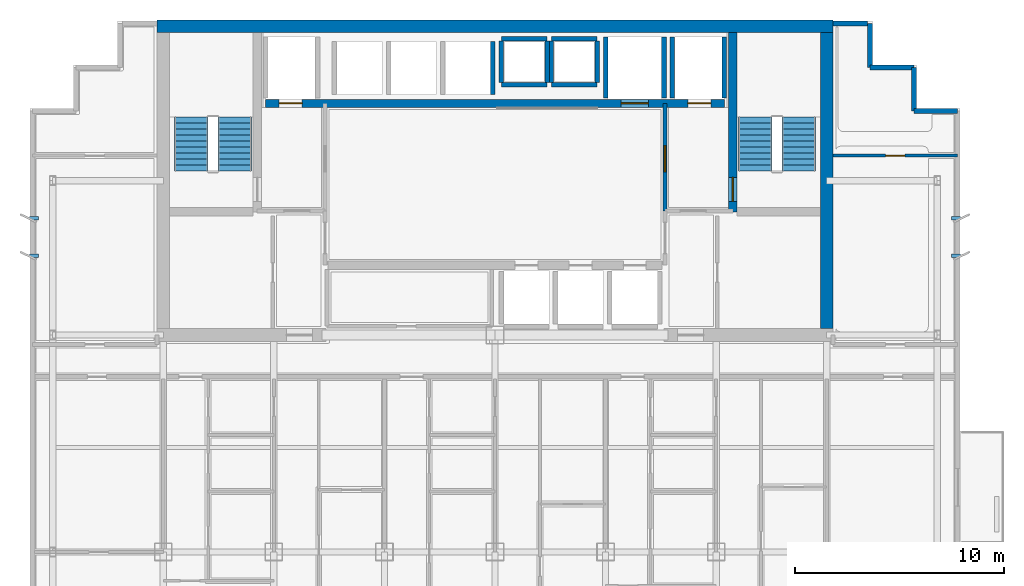
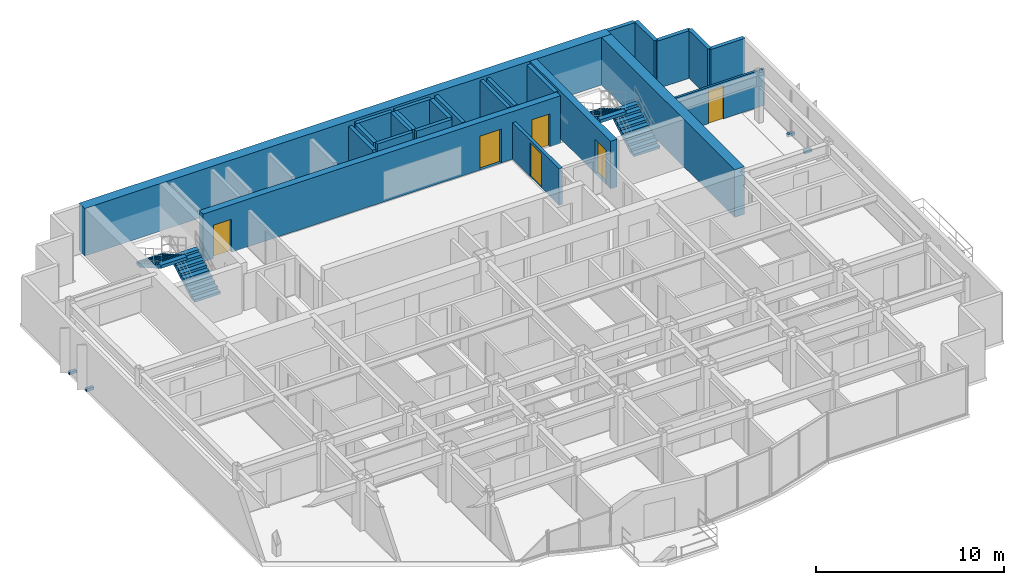
# One storey, part 9 of 11: 24 walls, 6 doors, 4 discrete accessories, 4 stair flights, 6 openings, 2 elements without a shape of their own.
"""IFC4 building model written with IfcOpenShell, lengths in metres."""

from ifc_helpers import new_model, si_unit, direction, frame, frame_2d, origin, origin_2d, place, context, subcontext, project, spatial, polyline, rectangle, outline, extrude, source, transform, mapped, material, layer, layer_set, type_object, element, fill, aggregate, save


model = new_model("IFC4")

# Units and contexts
model_context = context("Model", 3, precision=1e-05, world=origin(), true_north=direction((0.0, 1.0)))
body_context = subcontext(model_context, "Body", "Model", "MODEL_VIEW")
ifc_project = project(units=[si_unit("LENGTHUNIT", "METRE"), si_unit("AREAUNIT", "SQUARE_METRE"), si_unit("VOLUMEUNIT", "CUBIC_METRE"), si_unit("PLANEANGLEUNIT", "RADIAN"), si_unit("MASSUNIT", "GRAM", prefix="KILO")], contexts=[model_context])

# Site, building, storey
site_placement = place(None, origin())
site = spatial("IfcSite", under=ifc_project, at=site_placement, CompositionType="ELEMENT")
building_placement = place(site_placement, origin())
building = spatial("IfcBuilding", under=site, at=building_placement, Name="Qianlan Lanfeng Residences", CompositionType="ELEMENT")
storey_placement = place(building_placement, frame((0.0, 0.0, 165.60009765625)))
storey = spatial("IfcBuildingStorey", under=building, at=storey_placement, Name="L45", CompositionType="ELEMENT", Elevation=165.60009765625)

# Wall, opening, door
ifc_material_1 = material(Name="Concrete C56", Category="concrete")
ifc_layer_1 = layer(ifc_material_1, 0.39990234375)
ifc_layer_set_1 = layer_set([ifc_layer_1], Name="Concrete C56")
wall_type_1 = type_object("IfcWallType", Name="CW-RC-400", PredefinedType="SHEAR", material=ifc_layer_set_1)
wall_1_placement = place(storey_placement, frame((37.89990234375, 31.10009765625, 0.0), z_axis=(0.0, 0.0, 1.0), x_axis=(0.0, 1.0, 0.0)))
wall_1 = element("IfcWall", 1, at=wall_1_placement, inside=storey, type_object=wall_type_1, Name="L45 Core Shear Wall ST2W", PredefinedType="SHEAR", context=body_context, shape_type="SweptSolid", body=[
    extrude(rectangle(XDim=8.599853515625, YDim=0.39990234375, at=frame_2d((4.2998046875, 0.0))), origin(), (0.0, 0.0, 1.0), 3.099853515625),
])
opening_1_placement = place(wall_1_placement, frame((0.510009765625, 0.0, 0.0)))
opening_1 = element("IfcOpeningElement", 2, at=opening_1_placement, cuts=wall_1, Name="Opening L45-D08", PredefinedType="OPENING", context=body_context, shape_type="SweptSolid", body=[
    extrude(rectangle(XDim=1.14990234375, YDim=2.199951171875, at=frame_2d((0.574951171875, 1.10009765625))), frame((0.0, 0.2099609375, 0.0), z_axis=(0.0, -1.0, 0.0), x_axis=(1.0, 0.0, 0.0)), (0.0, 0.0, 1.0), 0.419921875),
])
ifc_material_2 = material(Name="Painted Galvanised Steel Fire Door", Category="steel")
door_type_1 = type_object("IfcDoorType", Name="DT-ST1", OperationType="NOTDEFINED", PredefinedType="DOOR", material=ifc_material_2)
door_1_placement = place(opening_1_placement, origin())
door_1 = element("IfcDoor", 3, at=door_1_placement, inside=storey, type_object=door_type_1, Name="L45 Exit Stair ST-2 Door L45-D08 (DT-ST1)", OperationType="SINGLE_SWING_RIGHT", OverallHeight=2.199951171875, OverallWidth=1.14990234375, PredefinedType="DOOR", context=body_context, shape_type="SweptSolid", body=[
    extrude(rectangle(XDim=1.14990234375, YDim=2.199951171875, at=frame_2d((0.574951171875, 1.10009765625))), frame((0.0, 0.02490234375, 0.0), z_axis=(0.0, -1.0, 0.0), x_axis=(1.0, 0.0, 0.0)), (0.0, 0.0, 1.0), 0.050048828125),
])
fill(opening_1, door_1)

# Wall, openings, doors
wall_2_placement = place(storey_placement, frame((15.5, 36.300048828125, 0.0), z_axis=(0.0, 0.0, 1.0), x_axis=(1.0, 0.0, 0.0)))
wall_2 = element("IfcWall", 4, at=wall_2_placement, inside=storey, type_object=wall_type_1, Name="L45 Core Shear Wall LBN", PredefinedType="SHEAR", context=body_context, shape_type="SweptSolid", body=[
    extrude(rectangle(XDim=22.0, YDim=0.39990234375, at=frame_2d((11.0, 0.0))), origin(), (0.0, 0.0, 1.0), 3.099853515625),
])
opening_2_placement = place(wall_2_placement, frame((0.64990234375, 0.0, 0.0)))
opening_2 = element("IfcOpeningElement", 5, at=opening_2_placement, cuts=wall_2, Name="Opening L45-LD-FFL-1", PredefinedType="OPENING", context=body_context, shape_type="SweptSolid", body=[
    extrude(rectangle(XDim=1.10009765625, YDim=2.14990234375, at=frame_2d((0.550048828125, 1.074951171875))), frame((0.0, 0.2099609375, 0.0), z_axis=(0.0, -1.0, 0.0), x_axis=(1.0, 0.0, 0.0)), (0.0, 0.0, 1.0), 0.419921875),
])
opening_3_placement = place(wall_2_placement, frame((20.25, 0.0, 0.0)))
opening_3 = element("IfcOpeningElement", 6, at=opening_3_placement, cuts=wall_2, Name="Opening L45-LD-FFL-2", PredefinedType="OPENING", context=body_context, shape_type="SweptSolid", body=[
    extrude(rectangle(XDim=1.10009765625, YDim=2.14990234375, at=frame_2d((0.550048828125, 1.074951171875))), frame((0.0, 0.2099609375, 0.0), z_axis=(0.0, -1.0, 0.0), x_axis=(1.0, 0.0, 0.0)), (0.0, 0.0, 1.0), 0.419921875),
])
opening_4_placement = place(wall_2_placement, frame((17.050048828125, 0.0, 0.0)))
opening_4 = element("IfcOpeningElement", 7, at=opening_4_placement, cuts=wall_2, Name="Opening L45-LD-SVL-1", PredefinedType="OPENING", context=body_context, shape_type="SweptSolid", body=[
    extrude(rectangle(XDim=1.300048828125, YDim=2.199951171875, at=frame_2d((0.64990234375, 1.10009765625))), frame((0.0, 0.2099609375, 0.0), z_axis=(0.0, -1.0, 0.0), x_axis=(1.0, 0.0, 0.0)), (0.0, 0.0, 1.0), 0.419921875),
])
ifc_material_3 = material(Name="Brushed Stainless Steel Sliding Lift Door", Category="steel")
door_type_2 = type_object("IfcDoorType", Name="LD-01", OperationType="NOTDEFINED", PredefinedType="DOOR", material=ifc_material_3)
door_2_placement = place(opening_2_placement, frame((1.10009765625, 0.0, 0.0), z_axis=(0.0, 0.0, 1.0), x_axis=(-1.0, 0.0, 0.0)))
door_2 = element("IfcDoor", 8, at=door_2_placement, inside=storey, type_object=door_type_2, Name="L45 Elevator FFL-1 Sliding Landing Door", OperationType="DOUBLE_DOOR_SLIDING", OverallHeight=2.14990234375, OverallWidth=1.10009765625, PredefinedType="DOOR", context=body_context, shape_type="SweptSolid", body=[
    extrude(rectangle(XDim=1.10009765625, YDim=2.14990234375, at=frame_2d((0.550048828125, 1.074951171875))), frame((0.0, 0.02490234375, 0.0), z_axis=(0.0, -1.0, 0.0), x_axis=(1.0, 0.0, 0.0)), (0.0, 0.0, 1.0), 0.050048828125),
])
fill(opening_2, door_2)
door_3_placement = place(opening_3_placement, frame((1.10009765625, 0.0, 0.0), z_axis=(0.0, 0.0, 1.0), x_axis=(-1.0, 0.0, 0.0)))
door_3 = element("IfcDoor", 9, at=door_3_placement, inside=storey, type_object=door_type_2, Name="L45 Elevator FFL-2 Sliding Landing Door", OperationType="DOUBLE_DOOR_SLIDING", OverallHeight=2.14990234375, OverallWidth=1.10009765625, PredefinedType="DOOR", context=body_context, shape_type="SweptSolid", body=[
    extrude(rectangle(XDim=1.10009765625, YDim=2.14990234375, at=frame_2d((0.550048828125, 1.074951171875))), frame((0.0, 0.02490234375, 0.0), z_axis=(0.0, -1.0, 0.0), x_axis=(1.0, 0.0, 0.0)), (0.0, 0.0, 1.0), 0.050048828125),
])
fill(opening_3, door_3)
door_type_3 = type_object("IfcDoorType", Name="LD-02", OperationType="NOTDEFINED", PredefinedType="DOOR", material=ifc_material_3)
door_4_placement = place(opening_4_placement, frame((1.300048828125, 0.0, 0.0), z_axis=(0.0, 0.0, 1.0), x_axis=(-1.0, 0.0, 0.0)))
door_4 = element("IfcDoor", 10, at=door_4_placement, inside=storey, type_object=door_type_3, Name="L45 Elevator SVL-1 Sliding Landing Door", OperationType="DOUBLE_DOOR_SLIDING", OverallHeight=2.199951171875, OverallWidth=1.300048828125, PredefinedType="DOOR", context=body_context, shape_type="SweptSolid", body=[
    extrude(rectangle(XDim=1.300048828125, YDim=2.199951171875, at=frame_2d((0.64990234375, 1.10009765625))), frame((0.0, 0.02490234375, 0.0), z_axis=(0.0, -1.0, 0.0), x_axis=(1.0, 0.0, 0.0)), (0.0, 0.0, 1.0), 0.050048828125),
])
fill(opening_4, door_4)

# Walls
ifc_layer_2 = layer(ifc_material_1, 0.60009765625)
ifc_layer_set_2 = layer_set([ifc_layer_2], Name="Concrete C56")
wall_type_2 = type_object("IfcWallType", Name="CW-RC-600", PredefinedType="SHEAR", material=ifc_layer_set_2)
wall_3_placement = place(storey_placement, frame((10.300048828125, 40.0, 0.0), z_axis=(0.0, 0.0, 1.0), x_axis=(1.0, 0.0, 0.0)))
element("IfcWall", 11, at=wall_3_placement, inside=storey, type_object=wall_type_2, Name="L45 Core Shear Wall N", PredefinedType="SHEAR", context=body_context, shape_type="SweptSolid", body=[
    extrude(rectangle(XDim=32.39990234375, YDim=0.60009765625, at=frame_2d((16.199951171875, 0.0))), origin(), (0.0, 0.0, 1.0), 3.099853515625),
])
wall_4_placement = place(storey_placement, frame((42.39990234375, 25.5, 0.0), z_axis=(0.0, 0.0, 1.0), x_axis=(0.0, 1.0, 0.0)))
element("IfcWall", 12, at=wall_4_placement, inside=storey, type_object=wall_type_2, Name="L45 Core Shear Wall E", PredefinedType="SHEAR", context=body_context, shape_type="SweptSolid", body=[
    extrude(rectangle(XDim=14.199951171875, YDim=0.60009765625, at=frame_2d((7.10009765625, 0.0))), origin(), (0.0, 0.0, 1.0), 3.099853515625),
])
ifc_material_4 = material(Name="Concrete C42", Category="concrete")
ifc_layer_3 = layer(ifc_material_4, 0.239990234375)
ifc_layer_set_3 = layer_set([ifc_layer_3], Name="Concrete C42")
wall_type_3 = type_object("IfcWallType", Name="EW-240", PredefinedType="SOLIDWALL", material=ifc_layer_set_3)
wall_5_placement = place(storey_placement, frame((48.679931640625, 35.929931640625, 0.0), z_axis=(0.0, 0.0, 1.0), x_axis=(-1.0, 0.0, 0.0)))
element("IfcWall", 13, at=wall_5_placement, inside=storey, type_object=wall_type_3, Name="L45 Exterior Facade Spandrel Wall 11", PredefinedType="SOLIDWALL", context=body_context, shape_type="SweptSolid", body=[
    extrude(rectangle(XDim=2.099853515625, YDim=0.239990234375, at=frame_2d((1.0498046875, 0.0))), origin(), (0.0, 0.0, 1.0), 3.099853515625),
])
for number, where, z_axis, x_axis, name in (
    (14, (46.580078125, 35.929931640625, 0.0), (0.0, 0.0, 1.0), (0.0, 1.0, 0.0), "L45 Exterior Facade Spandrel Wall 12"),
    (15, (46.580078125, 38.030029296875, 0.0), (0.0, 0.0, 1.0), (-1.0, 0.0, 0.0), "L45 Exterior Facade Spandrel Wall 13"),
):
    element("IfcWall", number, at=place(storey_placement, frame(where, z_axis=z_axis, x_axis=x_axis)), inside=storey, type_object=wall_type_3, Name=name, PredefinedType="SOLIDWALL", context=body_context, shape_type="SweptSolid", body=[
        extrude(rectangle(XDim=2.10009765625, YDim=0.239990234375, at=frame_2d((1.050048828125, 0.0))), origin(), (0.0, 0.0, 1.0), 3.099853515625),
    ])
wall_6_placement = place(storey_placement, frame((44.47998046875, 38.030029296875, 0.0), z_axis=(0.0, 0.0, 1.0), x_axis=(0.0, 1.0, 0.0)))
element("IfcWall", 16, at=wall_6_placement, inside=storey, type_object=wall_type_3, Name="L45 Exterior Facade Spandrel Wall 14", PredefinedType="SOLIDWALL", context=body_context, shape_type="SweptSolid", body=[
    extrude(rectangle(XDim=2.099853515625, YDim=0.239990234375, at=frame_2d((1.0498046875, 0.0))), origin(), (0.0, 0.0, 1.0), 3.099853515625),
])
wall_7_placement = place(storey_placement, frame((44.35009765625, 40.1298828125, 0.0), z_axis=(0.0, 0.0, 1.0), x_axis=(-1.0, 0.0, 0.0)))
element("IfcWall", 17, at=wall_7_placement, inside=storey, type_object=wall_type_3, Name="L45 North Wing Exterior Wall E", PredefinedType="SOLIDWALL", context=body_context, shape_type="SweptSolid", body=[
    extrude(rectangle(XDim=1.650146484375, YDim=0.239990234375, at=frame_2d((0.8251953125, 0.0))), origin(), (0.0, 0.0, 1.0), 3.099853515625),
])

# Wall, opening, door
ifc_material_5 = material(Name="Moisture-Resistant Gypsum Partition 135 mm")
ifc_layer_4 = layer(ifc_material_5, 0.135009765625)
ifc_layer_set_4 = layer_set([ifc_layer_4], Name="Moisture-Resistant Gypsum Partition 135 mm")
wall_type_4 = type_object("IfcWallType", Name="PW-135", PredefinedType="PARTITIONING", material=ifc_layer_set_4)
wall_8_placement = place(storey_placement, frame((42.699951171875, 33.800048828125, 0.0), z_axis=(0.0, 0.0, 1.0), x_axis=(1.0, 0.0, 0.0)))
wall_8 = element("IfcWall", 18, at=wall_8_placement, inside=storey, type_object=wall_type_4, Name="L45 EW North Wing Wall", PredefinedType="PARTITIONING", context=body_context, shape_type="SweptSolid", body=[
    extrude(rectangle(XDim=5.97998046875, YDim=0.135009765625, at=frame_2d((2.989990234375, 0.0))), origin(), (0.0, 0.0, 1.0), 2.3798828125),
])
opening_5_placement = place(wall_8_placement, frame((2.530029296875, 0.0, 0.0)))
opening_5 = element("IfcOpeningElement", 19, at=opening_5_placement, cuts=wall_8, Name="Opening L45-D50", PredefinedType="OPENING", context=body_context, shape_type="SweptSolid", body=[
    extrude(rectangle(XDim=0.919921875, YDim=2.14990234375, at=frame_2d((0.4599609375, 1.074951171875))), frame((0.0, 0.07763671875, 0.0), z_axis=(0.0, -1.0, 0.0), x_axis=(1.0, 0.0, 0.0)), (0.0, 0.0, 1.0), 0.155029296875),
])
ifc_material_6 = material(Name="Glazed Timber Kitchen/Study Door", Category="wood")
door_type_4 = type_object("IfcDoorType", Name="DT-INT", OperationType="NOTDEFINED", PredefinedType="DOOR", material=ifc_material_6)
door_5_placement = place(opening_5_placement, origin())
door_5 = element("IfcDoor", 20, at=door_5_placement, inside=storey, type_object=door_type_4, Name="L45 EW Inner Salon Door L45-D50 (DT-INT)", OperationType="SINGLE_SWING_LEFT", OverallHeight=2.14990234375, OverallWidth=0.919921875, PredefinedType="DOOR", context=body_context, shape_type="SweptSolid", body=[
    extrude(rectangle(XDim=0.919921875, YDim=2.14990234375, at=frame_2d((0.4599609375, 1.074951171875))), frame((0.0, 0.02490234375, 0.0), z_axis=(0.0, -1.0, 0.0), x_axis=(1.0, 0.0, 0.0)), (0.0, 0.0, 1.0), 0.050048828125),
])
fill(opening_5, door_5)

ifc_material_7 = material(Name="Autoclaved Aerated Concrete Blockwork 200 mm", Category="masonry")
ifc_layer_5 = layer(ifc_material_7, 0.199951171875)
ifc_layer_set_5 = layer_set([ifc_layer_5], Name="Autoclaved Aerated Concrete Blockwork 200 mm")
wall_type_5 = type_object("IfcWallType", Name="PW-200", PredefinedType="PARTITIONING", material=ifc_layer_set_5)
wall_9_placement = place(storey_placement, frame((34.64990234375, 31.14990234375, 0.0), z_axis=(0.0, 0.0, 1.0), x_axis=(0.0, 1.0, 0.0)))
wall_9 = element("IfcWall", 21, at=wall_9_placement, inside=storey, type_object=wall_type_5, Name="L45 Firefighting Lobby 2 West Wall", PredefinedType="PARTITIONING", context=body_context, shape_type="SweptSolid", body=[
    extrude(rectangle(XDim=5.150146484375, YDim=0.199951171875, at=frame_2d((2.5751953125, 0.0))), origin(), (0.0, 0.0, 1.0), 2.3798828125),
])
opening_6_placement = place(wall_9_placement, frame((1.875, 0.0, 0.0)))
opening_6 = element("IfcOpeningElement", 22, at=opening_6_placement, cuts=wall_9, Name="Opening L45-D06", PredefinedType="OPENING", context=body_context, shape_type="SweptSolid", body=[
    extrude(rectangle(XDim=1.25, YDim=2.199951171875, at=frame_2d((0.625, 1.10009765625))), frame((0.0, 0.10986328125, 0.0), z_axis=(0.0, -1.0, 0.0), x_axis=(1.0, 0.0, 0.0)), (0.0, 0.0, 1.0), 0.219970703125),
])
door_type_5 = type_object("IfcDoorType", Name="DT-FFL", OperationType="NOTDEFINED", PredefinedType="DOOR", material=ifc_material_2)
door_6_placement = place(opening_6_placement, origin())
door_6 = element("IfcDoor", 23, at=door_6_placement, inside=storey, type_object=door_type_5, Name="L45 Firefighting Lobby 2 Lift Lobby Door L45-D06 (DT-FFL)", OperationType="SINGLE_SWING_LEFT", OverallHeight=2.199951171875, OverallWidth=1.25, PredefinedType="DOOR", context=body_context, shape_type="SweptSolid", body=[
    extrude(rectangle(XDim=1.25, YDim=2.199951171875, at=frame_2d((0.625, 1.10009765625))), frame((0.0, 0.02490234375, 0.0), z_axis=(0.0, -1.0, 0.0), x_axis=(1.0, 0.0, 0.0)), (0.0, 0.0, 1.0), 0.050048828125),
])
fill(opening_6, door_6)

# Walls
ifc_material_8 = material(Name="Concrete C49", Category="concrete")
ifc_layer_6 = layer(ifc_material_8, 0.219970703125)
ifc_layer_set_6 = layer_set([ifc_layer_6], Name="Concrete C49")
wall_type_6 = type_object("IfcWallType", Name="SHW-220", PredefinedType="SOLIDWALL", material=ifc_layer_set_6)
for number, where, z_axis, x_axis, name in (
    (24, (35.0, 36.550048828125, 0.0), (0.0, 0.0, 1.0), (0.0, 1.0, 0.0), "L45 Lift FFL-2 Shaft Wall W"),
    (25, (37.47998046875, 36.550048828125, 0.0), (0.0, 0.0, 1.0), (0.0, 1.0, 0.0), "L45 Lift FFL-2 Shaft Wall E"),
    (26, (31.800048828125, 36.550048828125, 0.0), (0.0, 0.0, 1.0), (0.0, 1.0, 0.0), "L45 Lift SVL-1 Shaft Wall W"),
    (27, (34.60009765625, 36.550048828125, 0.0), (0.0, 0.0, 1.0), (0.0, 1.0, 0.0), "L45 Lift SVL-1 Shaft Wall E"),
):
    element("IfcWall", number, at=place(storey_placement, frame(where, z_axis=z_axis, x_axis=x_axis)), inside=storey, type_object=wall_type_6, Name=name, PredefinedType="SOLIDWALL", context=body_context, shape_type="SweptSolid", body=[
        extrude(rectangle(XDim=2.929931640625, YDim=0.219970703125, at=frame_2d((1.46484375, 0.0))), origin(), (0.0, 0.0, 1.0), 3.099853515625),
    ])
wall_10_placement = place(storey_placement, frame((26.39990234375, 36.719970703125, 0.0), z_axis=(0.0, 0.0, 1.0), x_axis=(0.0, 1.0, 0.0)))
element("IfcWall", 28, at=wall_10_placement, inside=storey, type_object=wall_type_6, Name="L45 Lift PL-H3 Shaft Wall E", PredefinedType="SOLIDWALL", context=body_context, shape_type="SweptSolid", body=[
    extrude(rectangle(XDim=2.56005859375, YDim=0.219970703125, at=frame_2d((1.280029296875, 0.0))), origin(), (0.0, 0.0, 1.0), 3.099853515625),
])
for number, where, z_axis, x_axis, name in (
    (29, (26.800048828125, 37.31005859375, 0.0), (0.0, 0.0, 1.0), (0.0, 1.0, 0.0), "L45 MEP Riser MEP-R1 Shaft Wall W"),
    (30, (29.0, 37.31005859375, 0.0), (0.0, 0.0, 1.0), (0.0, 1.0, 0.0), "L45 MEP Riser MEP-R1 Shaft Wall E"),
):
    element("IfcWall", number, at=place(storey_placement, frame(where, z_axis=z_axis, x_axis=x_axis)), inside=storey, type_object=wall_type_6, Name=name, PredefinedType="SOLIDWALL", context=body_context, shape_type="SweptSolid", body=[
        extrude(rectangle(XDim=1.97998046875, YDim=0.219970703125, at=frame_2d((0.989990234375, 0.0))), origin(), (0.0, 0.0, 1.0), 3.099853515625),
    ])
for number, where, z_axis, x_axis, name in (
    (31, (26.800048828125, 39.39990234375, 0.0), (0.0, 0.0, 1.0), (1.0, 0.0, 0.0), "L45 MEP Riser MEP-R1 Shaft Wall N"),
    (32, (26.800048828125, 37.199951171875, 0.0), (0.0, 0.0, 1.0), (1.0, 0.0, 0.0), "L45 MEP Riser MEP-R1 Shaft Wall S"),
):
    element("IfcWall", number, at=place(storey_placement, frame(where, z_axis=z_axis, x_axis=x_axis)), inside=storey, type_object=wall_type_6, Name=name, PredefinedType="SOLIDWALL", context=body_context, shape_type="SweptSolid", body=[
        extrude(rectangle(XDim=2.199951171875, YDim=0.219970703125, at=frame_2d((1.10009765625, 0.0))), origin(), (0.0, 0.0, 1.0), 3.099853515625),
    ])
for number, where, z_axis, x_axis, name in (
    (33, (29.199951171875, 37.31005859375, 0.0), (0.0, 0.0, 1.0), (0.0, 1.0, 0.0), "L45 MEP Riser MEP-R2 Shaft Wall W"),
    (34, (31.39990234375, 37.31005859375, 0.0), (0.0, 0.0, 1.0), (0.0, 1.0, 0.0), "L45 MEP Riser MEP-R2 Shaft Wall E"),
):
    element("IfcWall", number, at=place(storey_placement, frame(where, z_axis=z_axis, x_axis=x_axis)), inside=storey, type_object=wall_type_6, Name=name, PredefinedType="SOLIDWALL", context=body_context, shape_type="SweptSolid", body=[
        extrude(rectangle(XDim=1.97998046875, YDim=0.219970703125, at=frame_2d((0.989990234375, 0.0))), origin(), (0.0, 0.0, 1.0), 3.099853515625),
    ])
for number, where, z_axis, x_axis, name in (
    (35, (29.199951171875, 39.39990234375, 0.0), (0.0, 0.0, 1.0), (1.0, 0.0, 0.0), "L45 MEP Riser MEP-R2 Shaft Wall N"),
    (36, (29.199951171875, 37.199951171875, 0.0), (0.0, 0.0, 1.0), (1.0, 0.0, 0.0), "L45 MEP Riser MEP-R2 Shaft Wall S"),
):
    element("IfcWall", number, at=place(storey_placement, frame(where, z_axis=z_axis, x_axis=x_axis)), inside=storey, type_object=wall_type_6, Name=name, PredefinedType="SOLIDWALL", context=body_context, shape_type="SweptSolid", body=[
        extrude(rectangle(XDim=2.199951171875, YDim=0.219970703125, at=frame_2d((1.10009765625, 0.0))), origin(), (0.0, 0.0, 1.0), 3.099853515625),
    ])

# Stair, stair flights
stair_type = type_object("IfcStairType", Name="STR-MAIN", PredefinedType="HALF_TURN_STAIR", material=ifc_material_4)
stair_1_placement = place(storey_placement, origin())
stair_1 = element("IfcStair", 37, at=stair_1_placement, inside=storey, type_object=stair_type, Name="L45 Exit Stair ST-1", PredefinedType="HALF_TURN_STAIR")
stair_flight_type = type_object("IfcStairFlightType", Name="FLT-1720", PredefinedType="STRAIGHT", material=ifc_material_4)
stair_flight_1_placement = place(storey_placement, frame((14.02001953125, 33.050048828125, 0.0), z_axis=(0.0, 0.0, 1.0), x_axis=(0.0, 1.0, 0.0)))
stair_flight_1 = element("IfcStairFlight", 38, at=stair_flight_1_placement, type_object=stair_flight_type, Name="ST-1 flight 1", NumberOfRisers=10, NumberOfTreads=9, PredefinedType="STRAIGHT", RiserHeight=0.165, TreadLength=0.29, context=body_context, shape_type="SweptSolid", body=[
    extrude(outline(polyline([(0.0, 0.0), (0.0, 0.1650390625), (0.2900390625, 0.1650390625), (0.2900390625, 0.330078125), (0.580078125, 0.330078125), (0.580078125, 0.4951171875), (0.8701171875, 0.4951171875), (0.8701171875, 0.659912109375), (1.159912109375, 0.659912109375), (1.159912109375, 0.824951171875), (1.449951171875, 0.824951171875), (1.449951171875, 0.989990234375), (1.739990234375, 0.989990234375), (1.739990234375, 1.155029296875), (2.030029296875, 1.155029296875), (2.030029296875, 1.320068359375), (2.320068359375, 1.320068359375), (2.320068359375, 1.485107421875), (2.610107421875, 1.485107421875), (2.610107421875, 1.64990234375), (2.610107421875, 1.278076171875), (0.36376953125, 0.0), (0.0, 0.0)])), frame((0.0, 0.800048828125, 0.0), z_axis=(0.0, -1.0, 0.0), x_axis=(1.0, 0.0, 0.0)), (0.0, 0.0, 1.0), 1.60009765625),
])
stair_flight_2_placement = place(storey_placement, frame((11.93994140625, 35.659912109375, 1.64990234375), z_axis=(0.0, 0.0, 1.0), x_axis=(0.0, -1.0, 0.0)))
stair_flight_2 = element("IfcStairFlight", 39, at=stair_flight_2_placement, type_object=stair_flight_type, Name="ST-1 flight 2", NumberOfRisers=10, NumberOfTreads=9, PredefinedType="STRAIGHT", RiserHeight=0.165, TreadLength=0.29, context=body_context, shape_type="SweptSolid", body=[
    extrude(outline(polyline([(0.0, 0.0), (0.0, 0.1650390625), (0.2900390625, 0.1650390625), (0.2900390625, 0.330078125), (0.580078125, 0.330078125), (0.580078125, 0.4951171875), (0.8701171875, 0.4951171875), (0.8701171875, 0.659912109375), (1.159912109375, 0.659912109375), (1.159912109375, 0.824951171875), (1.449951171875, 0.824951171875), (1.449951171875, 0.989990234375), (1.739990234375, 0.989990234375), (1.739990234375, 1.155029296875), (2.030029296875, 1.155029296875), (2.030029296875, 1.320068359375), (2.320068359375, 1.320068359375), (2.320068359375, 1.485107421875), (2.610107421875, 1.485107421875), (2.610107421875, 1.64990234375), (2.610107421875, 1.278076171875), (0.36376953125, 0.0), (0.0, 0.0)])), frame((0.0, 0.800048828125, 0.0), z_axis=(0.0, -1.0, 0.0), x_axis=(1.0, 0.0, 0.0)), (0.0, 0.0, 1.0), 1.60009765625),
])
aggregate(stair_1, [stair_flight_1, stair_flight_2])

stair_2_placement = place(storey_placement, origin())
stair_2 = element("IfcStair", 40, at=stair_2_placement, inside=storey, type_object=stair_type, Name="L45 Exit Stair ST-2", PredefinedType="HALF_TURN_STAIR")
stair_flight_3_placement = place(storey_placement, frame((41.06005859375, 33.050048828125, 0.0), z_axis=(0.0, 0.0, 1.0), x_axis=(0.0, 1.0, 0.0)))
stair_flight_3 = element("IfcStairFlight", 41, at=stair_flight_3_placement, type_object=stair_flight_type, Name="ST-2 flight 1", NumberOfRisers=10, NumberOfTreads=9, PredefinedType="STRAIGHT", RiserHeight=0.165, TreadLength=0.29, context=body_context, shape_type="SweptSolid", body=[
    extrude(outline(polyline([(0.0, 0.0), (0.0, 0.1650390625), (0.2900390625, 0.1650390625), (0.2900390625, 0.330078125), (0.580078125, 0.330078125), (0.580078125, 0.4951171875), (0.8701171875, 0.4951171875), (0.8701171875, 0.659912109375), (1.159912109375, 0.659912109375), (1.159912109375, 0.824951171875), (1.449951171875, 0.824951171875), (1.449951171875, 0.989990234375), (1.739990234375, 0.989990234375), (1.739990234375, 1.155029296875), (2.030029296875, 1.155029296875), (2.030029296875, 1.320068359375), (2.320068359375, 1.320068359375), (2.320068359375, 1.485107421875), (2.610107421875, 1.485107421875), (2.610107421875, 1.64990234375), (2.610107421875, 1.278076171875), (0.36376953125, 0.0), (0.0, 0.0)])), frame((0.0, 0.800048828125, 0.0), z_axis=(0.0, -1.0, 0.0), x_axis=(1.0, 0.0, 0.0)), (0.0, 0.0, 1.0), 1.60009765625),
])
stair_flight_4_placement = place(storey_placement, frame((38.97998046875, 35.659912109375, 1.64990234375), z_axis=(0.0, 0.0, 1.0), x_axis=(0.0, -1.0, 0.0)))
stair_flight_4 = element("IfcStairFlight", 42, at=stair_flight_4_placement, type_object=stair_flight_type, Name="ST-2 flight 2", NumberOfRisers=10, NumberOfTreads=9, PredefinedType="STRAIGHT", RiserHeight=0.165, TreadLength=0.29, context=body_context, shape_type="SweptSolid", body=[
    extrude(outline(polyline([(0.0, 0.0), (0.0, 0.1650390625), (0.2900390625, 0.1650390625), (0.2900390625, 0.330078125), (0.580078125, 0.330078125), (0.580078125, 0.4951171875), (0.8701171875, 0.4951171875), (0.8701171875, 0.659912109375), (1.159912109375, 0.659912109375), (1.159912109375, 0.824951171875), (1.449951171875, 0.824951171875), (1.449951171875, 0.989990234375), (1.739990234375, 0.989990234375), (1.739990234375, 1.155029296875), (2.030029296875, 1.155029296875), (2.030029296875, 1.320068359375), (2.320068359375, 1.320068359375), (2.320068359375, 1.485107421875), (2.610107421875, 1.485107421875), (2.610107421875, 1.64990234375), (2.610107421875, 1.278076171875), (0.36376953125, 0.0), (0.0, 0.0)])), frame((0.0, 0.800048828125, 0.0), z_axis=(0.0, -1.0, 0.0), x_axis=(1.0, 0.0, 0.0)), (0.0, 0.0, 1.0), 1.60009765625),
])
aggregate(stair_2, [stair_flight_3, stair_flight_4])

# Discrete accessories
ifc_material_9 = material(Name="Stainless Steel Facade Bracket", Category="steel")
discrete_accessory_type = type_object("IfcDiscreteAccessoryType", Name="BRK-SS-350", PredefinedType="BRACKET", material=ifc_material_9)
shared_shape = source(origin(), body_context, "Body", "SweptSolid", [
    extrude(rectangle(XDim=0.449951171875, YDim=0.179931640625, at=origin_2d()), origin(), (0.0, 0.0, 1.0), 0.179931640625),
])
for number, where, z_axis, x_axis, name in (
    (43, (4.39990234375, 29.0, -0.14990234375), (0.0, 0.0, 1.0), (1.0, 0.0, 0.0), "L45 Raked Solar Fin Support Bracket W1"),
    (44, (4.39990234375, 30.800048828125, -0.14990234375), (0.0, 0.0, 1.0), (1.0, 0.0, 0.0), "L45 Raked Solar Fin Support Bracket W2"),
    (45, (48.60009765625, 29.0, -0.14990234375), (0.0, 0.0, 1.0), (1.0, 0.0, 0.0), "L45 Raked Solar Fin Support Bracket E1"),
    (46, (48.60009765625, 30.800048828125, -0.14990234375), (0.0, 0.0, 1.0), (1.0, 0.0, 0.0), "L45 Raked Solar Fin Support Bracket E2"),
):
    element("IfcDiscreteAccessory", number, at=place(storey_placement, frame(where, z_axis=z_axis, x_axis=x_axis)), inside=storey, type_object=discrete_accessory_type, Name=name, PredefinedType="BRACKET", context=body_context, shape_type="MappedRepresentation", body=[
        mapped(shared_shape, transform((0.0, 0.0, 0.0), scale=1.0)),
    ])

save(model, "model.ifc")
